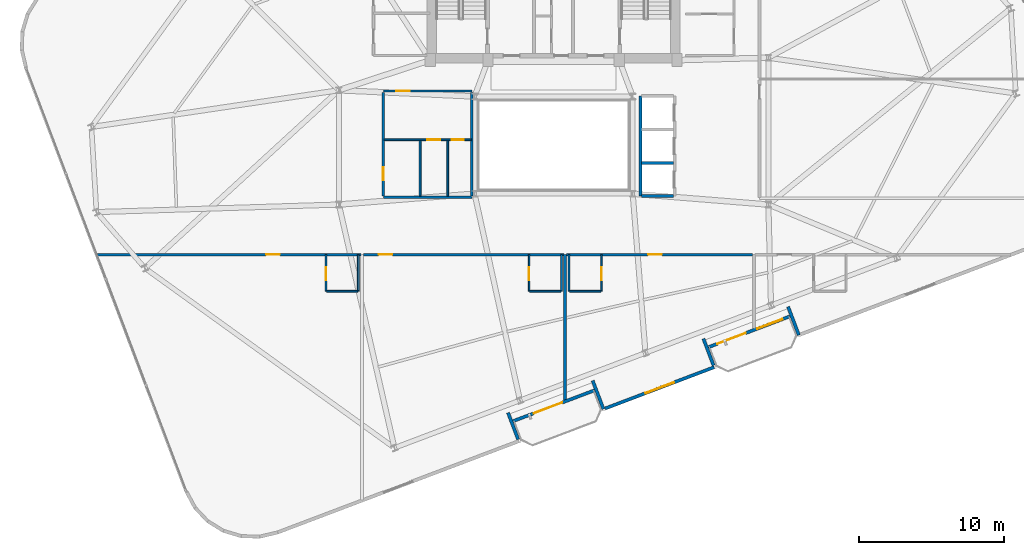
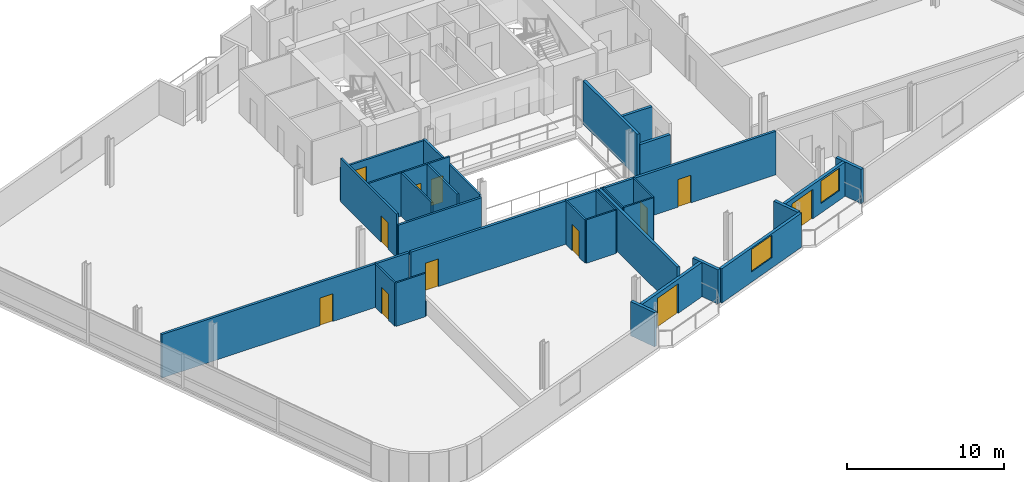
# One storey, part 14 of 19: 30 walls, 12 doors, 2 windows, 14 openings.
"""IFC4 building model written with IfcOpenShell, lengths in metres."""

from ifc_helpers import new_model, si_unit, direction, frame, frame_2d, origin, place, context, subcontext, project, spatial, rectangle, extrude, material, layer, layer_set, type_object, element, fill, save


model = new_model("IFC4")

# Units and contexts
model_context = context("Model", 3, precision=1e-05, world=origin(), true_north=direction((0.0, 1.0)))
body_context = subcontext(model_context, "Body", "Model", "MODEL_VIEW")
ifc_project = project(units=[si_unit("LENGTHUNIT", "METRE"), si_unit("AREAUNIT", "SQUARE_METRE"), si_unit("VOLUMEUNIT", "CUBIC_METRE"), si_unit("PLANEANGLEUNIT", "RADIAN"), si_unit("MASSUNIT", "GRAM", prefix="KILO")], contexts=[model_context])

# Site, building, storey
site_placement = place(None, origin())
site = spatial("IfcSite", under=ifc_project, at=site_placement, CompositionType="ELEMENT")
building_placement = place(site_placement, origin())
building = spatial("IfcBuilding", under=site, at=building_placement, Name="Varnelok Gate Tower", CompositionType="ELEMENT")
storey_placement = place(building_placement, frame((0.0, 0.0, 249.699951171875)))
storey = spatial("IfcBuildingStorey", under=building, at=storey_placement, Name="L64", CompositionType="ELEMENT", Elevation=249.699951171875)

# Wall, opening, door
ifc_material_1 = material(Name="Concrete C45/55", Category="concrete")
ifc_layer_1 = layer(ifc_material_1, 0.219970703125)
ifc_layer_set_1 = layer_set([ifc_layer_1], Name="Concrete C45/55")
wall_type_1 = type_object("IfcWallType", Name="EW-BALC-220", PredefinedType="SOLIDWALL", material=ifc_layer_set_1)
wall_1_placement = place(storey_placement, frame((42.01708984375, 5.9970703125, 0.0), z_axis=(0.0, 0.0, 1.0), x_axis=(-0.9352192676, -0.354069091436, 0.0)))
wall_1 = element("IfcWall", 1, at=wall_1_placement, inside=storey, type_object=wall_type_1, Name="L64 South Terrace Envelope Wall 1", PredefinedType="SOLIDWALL", context=body_context, shape_type="SweptSolid", body=[
    extrude(rectangle(XDim=6.000244140625, YDim=0.219970703125, at=frame_2d((3.0, 0.0))), origin(), (0.0, 0.0, 1.0), 2.66015625),
])
opening_1_placement = place(wall_1_placement, frame((2.384033203125, 0.0, 0.0)))
opening_1 = element("IfcOpeningElement", 2, at=opening_1_placement, cuts=wall_1, Name="Opening BD-2", PredefinedType="OPENING", context=body_context, shape_type="SweptSolid", body=[
    extrude(rectangle(XDim=2.10009765625, YDim=2.300048828125, at=frame_2d((1.050048828125, 1.14990234375))), frame((0.0, 0.119873046875, 0.0), z_axis=(0.0, -1.0, 0.0), x_axis=(1.0, 0.0, 0.0)), (0.0, 0.0, 1.0), 0.239990234375),
])
ifc_material_2 = material(Name="Anodized Aluminum Alloy 6063-T6", Category="aluminium")
door_type_1 = type_object("IfcDoorType", Name="DR-EXT-SLID2100", OperationType="SLIDING_TO_LEFT", PredefinedType="DOOR", material=ifc_material_2)
door_1_placement = place(opening_1_placement, origin())
door_1 = element("IfcDoor", 3, at=door_1_placement, inside=storey, type_object=door_type_1, Name="L64 South Balcony Glazed Door 1", OperationType="SLIDING_TO_LEFT", OverallHeight=2.300048828125, OverallWidth=2.10009765625, PredefinedType="DOOR", context=body_context, shape_type="SweptSolid", body=[
    extrude(rectangle(XDim=2.10009765625, YDim=2.300048828125, at=frame_2d((1.050048828125, 1.14990234375))), frame((0.0, 0.02490234375, 0.0), z_axis=(0.0, -1.0, 0.0), x_axis=(1.0, 0.0, 0.0)), (0.0, 0.0, 1.0), 0.050048828125),
])
fill(opening_1, door_1)

# Wall, openings, door, window
wall_2_placement = place(storey_placement, frame((55.484130859375, 11.095458984375, 0.0), z_axis=(0.0, 0.0, 1.0), x_axis=(-0.935227640088, -0.354046976001, 0.0)))
wall_2 = element("IfcWall", 4, at=wall_2_placement, inside=storey, type_object=wall_type_1, Name="L64 South Terrace Envelope Wall 2", PredefinedType="SOLIDWALL", context=body_context, shape_type="SweptSolid", body=[
    extrude(rectangle(XDim=6.0, YDim=0.219970703125, at=frame_2d((3.0, 0.0))), origin(), (0.0, 0.0, 1.0), 2.66015625),
])
opening_2_placement = place(wall_2_placement, frame((3.252197265625, 0.0, 0.0)))
opening_2 = element("IfcOpeningElement", 5, at=opening_2_placement, cuts=wall_2, Name="Opening BD-2", PredefinedType="OPENING", context=body_context, shape_type="SweptSolid", body=[
    extrude(rectangle(XDim=2.10009765625, YDim=2.300048828125, at=frame_2d((1.050048828125, 1.14990234375))), frame((0.0, 0.119873046875, 0.0), z_axis=(0.0, -1.0, 0.0), x_axis=(1.0, 0.0, 0.0)), (0.0, 0.0, 1.0), 0.239990234375),
])
opening_3_placement = place(wall_2_placement, frame((0.550048828125, 0.0, 0.75)))
opening_3 = element("IfcOpeningElement", 6, at=opening_3_placement, cuts=wall_2, Name="Opening WN5", PredefinedType="OPENING", context=body_context, shape_type="SweptSolid", body=[
    extrude(rectangle(XDim=1.85009765625, YDim=1.75, at=frame_2d((0.925048828125, 0.875))), frame((0.0, 0.119873046875, 0.0), z_axis=(0.0, -1.0, 0.0), x_axis=(1.0, 0.0, 0.0)), (0.0, 0.0, 1.0), 0.239990234375),
])
door_2_placement = place(opening_2_placement, origin())
door_2 = element("IfcDoor", 7, at=door_2_placement, inside=storey, type_object=door_type_1, Name="L64 South Balcony Glazed Door 2", OperationType="SLIDING_TO_LEFT", OverallHeight=2.300048828125, OverallWidth=2.10009765625, PredefinedType="DOOR", context=body_context, shape_type="SweptSolid", body=[
    extrude(rectangle(XDim=2.10009765625, YDim=2.300048828125, at=frame_2d((1.050048828125, 1.14990234375))), frame((0.0, 0.02490234375, 0.0), z_axis=(0.0, -1.0, 0.0), x_axis=(1.0, 0.0, 0.0)), (0.0, 0.0, 1.0), 0.050048828125),
])
fill(opening_2, door_2)
ifc_material_3 = material(Name="Low-E Laminated Double Glazing IGU", Category="glass")
window_type_1 = type_object("IfcWindowType", Name="WN-RES-1850", PartitioningType="SINGLE_PANEL", PredefinedType="WINDOW", material=ifc_material_3)
window_1_placement = place(opening_3_placement, origin())
window_1 = element("IfcWindow", 8, at=window_1_placement, inside=storey, type_object=window_type_1, Name="L64 South Vision Window 2.1", OverallHeight=1.75, OverallWidth=1.85009765625, PartitioningType="SINGLE_PANEL", PredefinedType="WINDOW", context=body_context, shape_type="SweptSolid", body=[
    extrude(rectangle(XDim=1.85009765625, YDim=1.75, at=frame_2d((0.925048828125, 0.875))), frame((0.0, 0.030029296875, 0.0), z_axis=(0.0, -1.0, 0.0), x_axis=(1.0, 0.0, 0.0)), (0.0, 0.0, 1.0), 0.06005859375),
])
fill(opening_3, window_1)

# Walls
wall_3_placement = place(storey_placement, frame((36.75537109375, 2.609619140625, 0.0), z_axis=(0.0, 0.0, 1.0), x_axis=(-0.354020680661, 0.935237594232, 0.0)))
element("IfcWall", 9, at=wall_3_placement, inside=storey, type_object=wall_type_1, Name="L64 Perimeter Facade Closure Wall 8", PredefinedType="SOLIDWALL", context=body_context, shape_type="SweptSolid", body=[
    extrude(rectangle(XDim=1.97509765625, YDim=0.219970703125, at=frame_2d((0.987548828125, 0.0))), origin(), (0.0, 0.0, 1.0), 2.66015625),
])
wall_4_placement = place(storey_placement, frame((41.891845703125, 6.666015625, 0.0), z_axis=(0.0, 0.0, 1.0), x_axis=(0.354128469405, -0.935196785258, 0.0)))
element("IfcWall", 10, at=wall_4_placement, inside=storey, type_object=wall_type_1, Name="L64 Perimeter Facade Closure Wall 9", PredefinedType="SOLIDWALL", context=body_context, shape_type="SweptSolid", body=[
    extrude(rectangle(XDim=2.099853515625, YDim=0.219970703125, at=frame_2d((1.0498046875, 0.0))), origin(), (0.0, 0.0, 1.0), 2.66015625),
])

# Wall, opening, window
wall_5_placement = place(storey_placement, frame((42.75244140625, 4.746337890625, 0.0), z_axis=(0.0, 0.0, 1.0), x_axis=(0.935216926991, 0.354075273733, 0.0)))
wall_5 = element("IfcWall", 11, at=wall_5_placement, inside=storey, type_object=wall_type_1, Name="L64 Perimeter Facade Closure Wall 10", PredefinedType="SOLIDWALL", context=body_context, shape_type="SweptSolid", body=[
    extrude(rectangle(XDim=8.034912109375, YDim=0.219970703125, at=frame_2d((4.017578125, 0.0))), origin(), (0.0, 0.0, 1.0), 2.66015625),
])
opening_4_placement = place(wall_5_placement, frame((2.967529296875, 0.0, 0.800048828125)))
opening_4 = element("IfcOpeningElement", 12, at=opening_4_placement, cuts=wall_5, Name="Opening WN4", PredefinedType="OPENING", context=body_context, shape_type="SweptSolid", body=[
    extrude(rectangle(XDim=2.10009765625, YDim=1.75, at=frame_2d((1.050048828125, 0.875))), frame((0.0, 0.119873046875, 0.0), z_axis=(0.0, -1.0, 0.0), x_axis=(1.0, 0.0, 0.0)), (0.0, 0.0, 1.0), 0.239990234375),
])
window_type_2 = type_object("IfcWindowType", Name="WN-SUI-2100", PartitioningType="SINGLE_PANEL", PredefinedType="WINDOW", material=ifc_material_3)
window_2_placement = place(opening_4_placement, origin())
window_2 = element("IfcWindow", 13, at=window_2_placement, inside=storey, type_object=window_type_2, Name="L64 Perimeter Vision Window 10", OverallHeight=1.75, OverallWidth=2.10009765625, PartitioningType="SINGLE_PANEL", PredefinedType="WINDOW", context=body_context, shape_type="SweptSolid", body=[
    extrude(rectangle(XDim=2.10009765625, YDim=1.75, at=frame_2d((1.050048828125, 0.875))), frame((0.0, 0.030029296875, 0.0), z_axis=(0.0, -1.0, 0.0), x_axis=(1.0, 0.0, 0.0)), (0.0, 0.0, 1.0), 0.06005859375),
])
fill(opening_4, window_2)

# Walls
wall_6_placement = place(storey_placement, frame((50.22265625, 7.7080078125, 0.0), z_axis=(0.0, 0.0, 1.0), x_axis=(-0.354020680661, 0.935237594232, 0.0)))
element("IfcWall", 14, at=wall_6_placement, inside=storey, type_object=wall_type_1, Name="L64 Perimeter Facade Closure Wall 11", PredefinedType="SOLIDWALL", context=body_context, shape_type="SweptSolid", body=[
    extrude(rectangle(XDim=1.97509765625, YDim=0.219970703125, at=frame_2d((0.987548828125, 0.0))), origin(), (0.0, 0.0, 1.0), 2.66015625),
])
wall_7_placement = place(storey_placement, frame((55.359130859375, 11.764404296875, 0.0), z_axis=(0.0, 0.0, 1.0), x_axis=(0.354026782794, -0.935235284334, 0.0)))
element("IfcWall", 15, at=wall_7_placement, inside=storey, type_object=wall_type_1, Name="L64 Perimeter Facade Closure Wall 12", PredefinedType="SOLIDWALL", context=body_context, shape_type="SweptSolid", body=[
    extrude(rectangle(XDim=2.099853515625, YDim=0.219970703125, at=frame_2d((1.0498046875, 0.0))), origin(), (0.0, 0.0, 1.0), 2.66015625),
])

# Wall, opening, door
ifc_material_4 = material(Name="Gypsum Plasterboard Acoustic Partition", Category="gypsum")
ifc_layer_2 = layer(ifc_material_4, 0.179931640625)
ifc_layer_set_2 = layer_set([ifc_layer_2], Name="Gypsum Plasterboard Acoustic Partition")
wall_type_2 = type_object("IfcWallType", Name="PW-CORR-180", PredefinedType="PARTITIONING", material=ifc_layer_set_2)
wall_8_placement = place(storey_placement, frame((7.763916015625, 15.35009765625, 0.0), z_axis=(0.0, 0.0, 1.0), x_axis=(1.0, 0.0, 0.0)))
wall_8 = element("IfcWall", 16, at=wall_8_placement, inside=storey, type_object=wall_type_2, Name="Interior Partition", PredefinedType="PARTITIONING", context=body_context, shape_type="SweptSolid", body=[
    extrude(rectangle(XDim=18.156005859375, YDim=0.179931640625, at=frame_2d((9.078125, 0.0))), origin(), (0.0, 0.0, 1.0), 3.380126953125),
])
opening_5_placement = place(wall_8_placement, frame((11.616943359375, 0.0, 0.0)))
opening_5 = element("IfcOpeningElement", 17, at=opening_5_placement, cuts=wall_8, Name="Opening D-HT", PredefinedType="OPENING", context=body_context, shape_type="SweptSolid", body=[
    extrude(rectangle(XDim=0.949951171875, YDim=2.14990234375, at=frame_2d((0.47509765625, 1.074951171875))), frame((0.0, 0.099853515625, 0.0), z_axis=(0.0, -1.0, 0.0), x_axis=(1.0, 0.0, 0.0)), (0.0, 0.0, 1.0), 0.199951171875),
])
ifc_material_5 = material(Name="Engineered Hardwood Timber", Category="wood")
door_type_2 = type_object("IfcDoorType", Name="DR-HTL-950", OperationType="NOTDEFINED", PredefinedType="DOOR", material=ifc_material_5)
door_3_placement = place(opening_5_placement, origin())
door_3 = element("IfcDoor", 18, at=door_3_placement, inside=storey, type_object=door_type_2, Name="L64 Guest Room 01 Entrance Door", OperationType="SINGLE_SWING_RIGHT", OverallHeight=2.14990234375, OverallWidth=0.949951171875, PredefinedType="DOOR", context=body_context, shape_type="SweptSolid", body=[
    extrude(rectangle(XDim=0.949951171875, YDim=2.14990234375, at=frame_2d((0.47509765625, 1.074951171875))), frame((0.0, 0.02490234375, 0.0), z_axis=(0.0, -1.0, 0.0), x_axis=(1.0, 0.0, 0.0)), (0.0, 0.0, 1.0), 0.050048828125),
])
fill(opening_5, door_3)

wall_9_placement = place(storey_placement, frame((26.080078125, 15.35009765625, 0.0), z_axis=(0.0, 0.0, 1.0), x_axis=(1.0, 0.0, 0.0)))
wall_9 = element("IfcWall", 19, at=wall_9_placement, inside=storey, type_object=wall_type_2, Name="Interior Partition", PredefinedType="PARTITIONING", context=body_context, shape_type="SweptSolid", body=[
    extrude(rectangle(XDim=13.83984375, YDim=0.179931640625, at=frame_2d((6.919921875, 0.0))), origin(), (0.0, 0.0, 1.0), 3.380126953125),
])
opening_6_placement = place(wall_9_placement, frame((1.058349609375, 0.0, 0.0)))
opening_6 = element("IfcOpeningElement", 20, at=opening_6_placement, cuts=wall_9, Name="Opening D-HT", PredefinedType="OPENING", context=body_context, shape_type="SweptSolid", body=[
    extrude(rectangle(XDim=0.949951171875, YDim=2.14990234375, at=frame_2d((0.47509765625, 1.074951171875))), frame((0.0, 0.099853515625, 0.0), z_axis=(0.0, -1.0, 0.0), x_axis=(1.0, 0.0, 0.0)), (0.0, 0.0, 1.0), 0.199951171875),
])
door_4_placement = place(opening_6_placement, origin())
door_4 = element("IfcDoor", 21, at=door_4_placement, inside=storey, type_object=door_type_2, Name="L64 Guest Room 02 Entrance Door", OperationType="SINGLE_SWING_LEFT", OverallHeight=2.14990234375, OverallWidth=0.949951171875, PredefinedType="DOOR", context=body_context, shape_type="SweptSolid", body=[
    extrude(rectangle(XDim=0.949951171875, YDim=2.14990234375, at=frame_2d((0.47509765625, 1.074951171875))), frame((0.0, 0.02490234375, 0.0), z_axis=(0.0, -1.0, 0.0), x_axis=(1.0, 0.0, 0.0)), (0.0, 0.0, 1.0), 0.050048828125),
])
fill(opening_6, door_4)

wall_10_placement = place(storey_placement, frame((40.080078125, 15.35009765625, 0.0), z_axis=(0.0, 0.0, 1.0), x_axis=(1.0, 0.0, 0.0)))
wall_10 = element("IfcWall", 22, at=wall_10_placement, inside=storey, type_object=wall_type_2, Name="Interior Partition", PredefinedType="PARTITIONING", context=body_context, shape_type="SweptSolid", body=[
    extrude(rectangle(XDim=12.83984375, YDim=0.179931640625, at=frame_2d((6.419921875, 0.0))), origin(), (0.0, 0.0, 1.0), 3.380126953125),
])
opening_7_placement = place(wall_10_placement, frame((5.6298828125, 0.0, 0.0)))
opening_7 = element("IfcOpeningElement", 23, at=opening_7_placement, cuts=wall_10, Name="Opening D-HT", PredefinedType="OPENING", context=body_context, shape_type="SweptSolid", body=[
    extrude(rectangle(XDim=0.949951171875, YDim=2.14990234375, at=frame_2d((0.47509765625, 1.074951171875))), frame((0.0, 0.099853515625, 0.0), z_axis=(0.0, -1.0, 0.0), x_axis=(1.0, 0.0, 0.0)), (0.0, 0.0, 1.0), 0.199951171875),
])
door_5_placement = place(opening_7_placement, origin())
door_5 = element("IfcDoor", 24, at=door_5_placement, inside=storey, type_object=door_type_2, Name="L64 Guest Room 03 Entrance Door", OperationType="SINGLE_SWING_RIGHT", OverallHeight=2.14990234375, OverallWidth=0.949951171875, PredefinedType="DOOR", context=body_context, shape_type="SweptSolid", body=[
    extrude(rectangle(XDim=0.949951171875, YDim=2.14990234375, at=frame_2d((0.47509765625, 1.074951171875))), frame((0.0, 0.02490234375, 0.0), z_axis=(0.0, -1.0, 0.0), x_axis=(1.0, 0.0, 0.0)), (0.0, 0.0, 1.0), 0.050048828125),
])
fill(opening_7, door_5)

# Wall
ifc_layer_3 = layer(ifc_material_4, 0.114990234375)
ifc_layer_set_3 = layer_set([ifc_layer_3], Name="Gypsum Plasterboard Acoustic Partition")
wall_type_3 = type_object("IfcWallType", Name="PW-ENS-125", PredefinedType="PARTITIONING", material=ifc_layer_set_3)
wall_11_placement = place(storey_placement, frame((23.550048828125, 12.830078125, 0.0), z_axis=(0.0, 0.0, 1.0), x_axis=(1.0, 0.0, 0.0)))
element("IfcWall", 25, at=wall_11_placement, inside=storey, type_object=wall_type_3, Name="Interior Partition", PredefinedType="PARTITIONING", context=body_context, shape_type="SweptSolid", body=[
    extrude(rectangle(XDim=2.14990234375, YDim=0.114990234375, at=frame_2d((1.074951171875, 0.0))), origin(), (0.0, 0.0, 1.0), 3.380126953125),
])

# Wall, opening, door
wall_12_placement = place(storey_placement, frame((23.510009765625, 12.830078125, 0.0), z_axis=(0.0, 0.0, 1.0), x_axis=(0.0, 1.0, 0.0)))
wall_12 = element("IfcWall", 26, at=wall_12_placement, inside=storey, type_object=wall_type_3, Name="Interior Partition", PredefinedType="PARTITIONING", context=body_context, shape_type="SweptSolid", body=[
    extrude(rectangle(XDim=2.52001953125, YDim=0.114990234375, at=frame_2d((1.260009765625, 0.0))), origin(), (0.0, 0.0, 1.0), 3.380126953125),
])
opening_8_placement = place(wall_12_placement, frame((0.760009765625, 0.0, 0.0)))
opening_8 = element("IfcOpeningElement", 27, at=opening_8_placement, cuts=wall_12, Name="Opening D-WC", PredefinedType="OPENING", context=body_context, shape_type="SweptSolid", body=[
    extrude(rectangle(XDim=0.89990234375, YDim=2.050048828125, at=frame_2d((0.449951171875, 1.02490234375))), frame((0.0, 0.0673828125, 0.0), z_axis=(0.0, -1.0, 0.0), x_axis=(1.0, 0.0, 0.0)), (0.0, 0.0, 1.0), 0.135009765625),
])
door_type_3 = type_object("IfcDoorType", Name="DR-BATH-900", OperationType="NOTDEFINED", PredefinedType="DOOR", material=ifc_material_5)
door_6_placement = place(opening_8_placement, origin())
door_6 = element("IfcDoor", 28, at=door_6_placement, inside=storey, type_object=door_type_3, Name="L64 Guest En-Suite 01 Door", OperationType="SINGLE_SWING_RIGHT", OverallHeight=2.050048828125, OverallWidth=0.89990234375, PredefinedType="DOOR", context=body_context, shape_type="SweptSolid", body=[
    extrude(rectangle(XDim=0.89990234375, YDim=2.050048828125, at=frame_2d((0.449951171875, 1.02490234375))), frame((0.0, 0.02490234375, 0.0), z_axis=(0.0, -1.0, 0.0), x_axis=(1.0, 0.0, 0.0)), (0.0, 0.0, 1.0), 0.050048828125),
])
fill(opening_8, door_6)

# Walls
wall_13_placement = place(storey_placement, frame((25.739990234375, 12.830078125, 0.0), z_axis=(0.0, 0.0, 1.0), x_axis=(0.0, 1.0, 0.0)))
element("IfcWall", 29, at=wall_13_placement, inside=storey, type_object=wall_type_3, Name="Interior Partition", PredefinedType="PARTITIONING", context=body_context, shape_type="SweptSolid", body=[
    extrude(rectangle(XDim=2.52001953125, YDim=0.114990234375, at=frame_2d((1.260009765625, 0.0))), origin(), (0.0, 0.0, 1.0), 1.1650390625),
])
wall_14_placement = place(storey_placement, frame((37.550048828125, 12.830078125, 0.0), z_axis=(0.0, 0.0, 1.0), x_axis=(1.0, 0.0, 0.0)))
element("IfcWall", 30, at=wall_14_placement, inside=storey, type_object=wall_type_3, Name="Interior Partition", PredefinedType="PARTITIONING", context=body_context, shape_type="SweptSolid", body=[
    extrude(rectangle(XDim=2.14990234375, YDim=0.114990234375, at=frame_2d((1.074951171875, 0.0))), origin(), (0.0, 0.0, 1.0), 3.380126953125),
])

# Wall, opening, door
wall_15_placement = place(storey_placement, frame((37.510009765625, 12.830078125, 0.0), z_axis=(0.0, 0.0, 1.0), x_axis=(0.0, 1.0, 0.0)))
wall_15 = element("IfcWall", 31, at=wall_15_placement, inside=storey, type_object=wall_type_3, Name="Interior Partition", PredefinedType="PARTITIONING", context=body_context, shape_type="SweptSolid", body=[
    extrude(rectangle(XDim=2.52001953125, YDim=0.114990234375, at=frame_2d((1.260009765625, 0.0))), origin(), (0.0, 0.0, 1.0), 3.380126953125),
])
opening_9_placement = place(wall_15_placement, frame((0.760009765625, 0.0, 0.0)))
opening_9 = element("IfcOpeningElement", 32, at=opening_9_placement, cuts=wall_15, Name="Opening D-WC", PredefinedType="OPENING", context=body_context, shape_type="SweptSolid", body=[
    extrude(rectangle(XDim=0.89990234375, YDim=2.050048828125, at=frame_2d((0.449951171875, 1.02490234375))), frame((0.0, 0.0673828125, 0.0), z_axis=(0.0, -1.0, 0.0), x_axis=(1.0, 0.0, 0.0)), (0.0, 0.0, 1.0), 0.135009765625),
])
door_7_placement = place(opening_9_placement, origin())
door_7 = element("IfcDoor", 33, at=door_7_placement, inside=storey, type_object=door_type_3, Name="L64 Guest En-Suite 02 Door", OperationType="SINGLE_SWING_RIGHT", OverallHeight=2.050048828125, OverallWidth=0.89990234375, PredefinedType="DOOR", context=body_context, shape_type="SweptSolid", body=[
    extrude(rectangle(XDim=0.89990234375, YDim=2.050048828125, at=frame_2d((0.449951171875, 1.02490234375))), frame((0.0, 0.02490234375, 0.0), z_axis=(0.0, -1.0, 0.0), x_axis=(1.0, 0.0, 0.0)), (0.0, 0.0, 1.0), 0.050048828125),
])
fill(opening_9, door_7)

# Walls
wall_16_placement = place(storey_placement, frame((39.739990234375, 12.830078125, 0.0), z_axis=(0.0, 0.0, 1.0), x_axis=(0.0, 1.0, 0.0)))
element("IfcWall", 34, at=wall_16_placement, inside=storey, type_object=wall_type_3, Name="Interior Partition", PredefinedType="PARTITIONING", context=body_context, shape_type="SweptSolid", body=[
    extrude(rectangle(XDim=2.52001953125, YDim=0.114990234375, at=frame_2d((1.260009765625, 0.0))), origin(), (0.0, 0.0, 1.0), 3.380126953125),
])
wall_17_placement = place(storey_placement, frame((40.300048828125, 12.830078125, 0.0), z_axis=(0.0, 0.0, 1.0), x_axis=(1.0, 0.0, 0.0)))
element("IfcWall", 35, at=wall_17_placement, inside=storey, type_object=wall_type_3, Name="Interior Partition", PredefinedType="PARTITIONING", context=body_context, shape_type="SweptSolid", body=[
    extrude(rectangle(XDim=2.14990234375, YDim=0.114990234375, at=frame_2d((1.074951171875, 0.0))), origin(), (0.0, 0.0, 1.0), 3.380126953125),
])

# Wall, opening, door
wall_18_placement = place(storey_placement, frame((42.489990234375, 12.830078125, 0.0), z_axis=(0.0, 0.0, 1.0), x_axis=(0.0, 1.0, 0.0)))
wall_18 = element("IfcWall", 36, at=wall_18_placement, inside=storey, type_object=wall_type_3, Name="Interior Partition", PredefinedType="PARTITIONING", context=body_context, shape_type="SweptSolid", body=[
    extrude(rectangle(XDim=2.52001953125, YDim=0.114990234375, at=frame_2d((1.260009765625, 0.0))), origin(), (0.0, 0.0, 1.0), 3.380126953125),
])
opening_10_placement = place(wall_18_placement, frame((0.760009765625, 0.0, 0.0)))
opening_10 = element("IfcOpeningElement", 37, at=opening_10_placement, cuts=wall_18, Name="Opening D-WC", PredefinedType="OPENING", context=body_context, shape_type="SweptSolid", body=[
    extrude(rectangle(XDim=0.89990234375, YDim=2.050048828125, at=frame_2d((0.449951171875, 1.02490234375))), frame((0.0, 0.0673828125, 0.0), z_axis=(0.0, -1.0, 0.0), x_axis=(1.0, 0.0, 0.0)), (0.0, 0.0, 1.0), 0.135009765625),
])
door_8_placement = place(opening_10_placement, origin())
door_8 = element("IfcDoor", 38, at=door_8_placement, inside=storey, type_object=door_type_3, Name="L64 Guest En-Suite 03 Door", OperationType="SINGLE_SWING_LEFT", OverallHeight=2.050048828125, OverallWidth=0.89990234375, PredefinedType="DOOR", context=body_context, shape_type="SweptSolid", body=[
    extrude(rectangle(XDim=0.89990234375, YDim=2.050048828125, at=frame_2d((0.449951171875, 1.02490234375))), frame((0.0, 0.02490234375, 0.0), z_axis=(0.0, -1.0, 0.0), x_axis=(1.0, 0.0, 0.0)), (0.0, 0.0, 1.0), 0.050048828125),
])
fill(opening_10, door_8)

# Wall
wall_19_placement = place(storey_placement, frame((40.260009765625, 12.830078125, 0.0), z_axis=(0.0, 0.0, 1.0), x_axis=(0.0, 1.0, 0.0)))
element("IfcWall", 39, at=wall_19_placement, inside=storey, type_object=wall_type_3, Name="Interior Partition", PredefinedType="PARTITIONING", context=body_context, shape_type="SweptSolid", body=[
    extrude(rectangle(XDim=2.52001953125, YDim=0.114990234375, at=frame_2d((1.260009765625, 0.0))), origin(), (0.0, 0.0, 1.0), 3.380126953125),
])

# Wall, openings, doors
ifc_layer_4 = layer(ifc_material_4, 0.125)
ifc_layer_set_4 = layer_set([ifc_layer_4], Name="Gypsum Plasterboard Acoustic Partition")
wall_type_4 = type_object("IfcWallType", Name="PW-PART-125", PredefinedType="PARTITIONING", material=ifc_layer_set_4)
wall_20_placement = place(storey_placement, frame((27.52001953125, 23.27001953125, 0.0), z_axis=(0.0, 0.0, 1.0), x_axis=(1.0, 0.0, 0.0)))
wall_20 = element("IfcWall", 40, at=wall_20_placement, inside=storey, type_object=wall_type_4, Name="Interior Partition", PredefinedType="PARTITIONING", context=body_context, shape_type="SweptSolid", body=[
    extrude(rectangle(XDim=6.0, YDim=0.125, at=frame_2d((3.0, 0.0))), origin(), (0.0, 0.0, 1.0), 3.380126953125),
])
opening_11_placement = place(wall_20_placement, frame((2.981689453125, 0.0, 0.0)))
opening_11 = element("IfcOpeningElement", 41, at=opening_11_placement, cuts=wall_20, Name="Opening D-I4", PredefinedType="OPENING", context=body_context, shape_type="SweptSolid", body=[
    extrude(rectangle(XDim=0.89990234375, YDim=2.050048828125, at=frame_2d((0.449951171875, 1.02490234375))), frame((0.0, 0.072509765625, 0.0), z_axis=(0.0, -1.0, 0.0), x_axis=(1.0, 0.0, 0.0)), (0.0, 0.0, 1.0), 0.14501953125),
])
opening_12_placement = place(wall_20_placement, frame((4.64990234375, 0.0, 0.0)))
opening_12 = element("IfcOpeningElement", 42, at=opening_12_placement, cuts=wall_20, Name="Opening D-RS", PredefinedType="OPENING", context=body_context, shape_type="SweptSolid", body=[
    extrude(rectangle(XDim=0.85009765625, YDim=2.050048828125, at=frame_2d((0.425048828125, 1.02490234375))), frame((0.0, 0.072509765625, 0.0), z_axis=(0.0, -1.0, 0.0), x_axis=(1.0, 0.0, 0.0)), (0.0, 0.0, 1.0), 0.14501953125),
])
door_type_4 = type_object("IfcDoorType", Name="DR-INT-900", OperationType="NOTDEFINED", PredefinedType="DOOR", material=ifc_material_5)
door_9_placement = place(opening_11_placement, origin())
door_9 = element("IfcDoor", 43, at=door_9_placement, inside=storey, type_object=door_type_4, Name="L64 Trolley Room Door", OperationType="SINGLE_SWING_LEFT", OverallHeight=2.050048828125, OverallWidth=0.89990234375, PredefinedType="DOOR", context=body_context, shape_type="SweptSolid", body=[
    extrude(rectangle(XDim=0.89990234375, YDim=2.050048828125, at=frame_2d((0.449951171875, 1.02490234375))), frame((0.0, 0.02490234375, 0.0), z_axis=(0.0, -1.0, 0.0), x_axis=(1.0, 0.0, 0.0)), (0.0, 0.0, 1.0), 0.050048828125),
])
fill(opening_11, door_9)
ifc_material_6 = material(Name="Galvanized Steel Grade S350GD", Category="steel")
door_type_5 = type_object("IfcDoorType", Name="DR-RISER-850", OperationType="NOTDEFINED", PredefinedType="DOOR", material=ifc_material_6)
door_10_placement = place(opening_12_placement, origin())
door_10 = element("IfcDoor", 44, at=door_10_placement, inside=storey, type_object=door_type_5, Name="L64 Janitor Sink Door", OperationType="SINGLE_SWING_RIGHT", OverallHeight=2.050048828125, OverallWidth=0.85009765625, PredefinedType="DOOR", context=body_context, shape_type="SweptSolid", body=[
    extrude(rectangle(XDim=0.85009765625, YDim=2.050048828125, at=frame_2d((0.425048828125, 1.02490234375))), frame((0.0, 0.02490234375, 0.0), z_axis=(0.0, -1.0, 0.0), x_axis=(1.0, 0.0, 0.0)), (0.0, 0.0, 1.0), 0.050048828125),
])
fill(opening_12, door_10)

# Walls
for number, where, z_axis, x_axis, name in (
    (45, (30.0, 19.3798828125, 0.0), (0.0, 0.0, 1.0), (0.0, 1.0, 0.0), "Interior Partition"),
    (46, (31.89990234375, 19.3798828125, 0.0), (0.0, 0.0, 1.0), (0.0, 1.0, 0.0), "Interior Partition"),
):
    element("IfcWall", number, at=place(storey_placement, frame(where, z_axis=z_axis, x_axis=x_axis)), inside=storey, type_object=wall_type_4, Name=name, PredefinedType="PARTITIONING", context=body_context, shape_type="SweptSolid", body=[
        extrude(rectangle(XDim=3.820068359375, YDim=0.125, at=frame_2d((1.91015625, 0.0))), origin(), (0.0, 0.0, 1.0), 3.380126953125),
    ])

# Wall, opening, door
ifc_layer_5 = layer(ifc_material_4, 0.14990234375)
ifc_layer_set_5 = layer_set([ifc_layer_5], Name="Gypsum Plasterboard Acoustic Partition")
wall_type_5 = type_object("IfcWallType", Name="PW-PART-150", PredefinedType="PARTITIONING", material=ifc_layer_set_5)
wall_21_placement = place(storey_placement, frame((27.4599609375, 26.6201171875, 0.0), z_axis=(0.0, 0.0, 1.0), x_axis=(1.0, 0.0, 0.0)))
wall_21 = element("IfcWall", 47, at=wall_21_placement, inside=storey, type_object=wall_type_5, Name="Interior Partition", PredefinedType="PARTITIONING", context=body_context, shape_type="SweptSolid", body=[
    extrude(rectangle(XDim=6.10009765625, YDim=0.14990234375, at=frame_2d((3.050048828125, 0.0))), origin(), (0.0, 0.0, 1.0), 2.592041015625),
])
opening_13_placement = place(wall_21_placement, frame((0.8896484375, 0.0, 0.0)))
opening_13 = element("IfcOpeningElement", 48, at=opening_13_placement, cuts=wall_21, Name="Opening D-I2", PredefinedType="OPENING", context=body_context, shape_type="SweptSolid", body=[
    extrude(rectangle(XDim=0.949951171875, YDim=2.050048828125, at=frame_2d((0.47509765625, 1.02490234375))), frame((0.0, 0.0849609375, 0.0), z_axis=(0.0, -1.0, 0.0), x_axis=(1.0, 0.0, 0.0)), (0.0, 0.0, 1.0), 0.169921875),
])
door_type_6 = type_object("IfcDoorType", Name="DR-INT-950", OperationType="NOTDEFINED", PredefinedType="DOOR", material=ifc_material_5)
door_11_placement = place(opening_13_placement, origin())
door_11 = element("IfcDoor", 49, at=door_11_placement, inside=storey, type_object=door_type_6, Name="L64 Hotel Business Center Door", OperationType="SINGLE_SWING_LEFT", OverallHeight=2.050048828125, OverallWidth=0.949951171875, PredefinedType="DOOR", context=body_context, shape_type="SweptSolid", body=[
    extrude(rectangle(XDim=0.949951171875, YDim=2.050048828125, at=frame_2d((0.47509765625, 1.02490234375))), frame((0.0, 0.02490234375, 0.0), z_axis=(0.0, -1.0, 0.0), x_axis=(1.0, 0.0, 0.0)), (0.0, 0.0, 1.0), 0.050048828125),
])
fill(opening_13, door_11)

# Wall
wall_22_placement = place(storey_placement, frame((27.4599609375, 19.300048828125, 0.0), z_axis=(0.0, 0.0, 1.0), x_axis=(1.0, 0.0, 0.0)))
element("IfcWall", 50, at=wall_22_placement, inside=storey, type_object=wall_type_5, Name="Interior Partition", PredefinedType="PARTITIONING", context=body_context, shape_type="SweptSolid", body=[
    extrude(rectangle(XDim=6.10009765625, YDim=0.14990234375, at=frame_2d((3.050048828125, 0.0))), origin(), (0.0, 0.0, 1.0), 2.592041015625),
])

# Wall, opening, door
wall_23_placement = place(storey_placement, frame((27.4599609375, 19.3798828125, 0.0), z_axis=(0.0, 0.0, 1.0), x_axis=(0.0, 1.0, 0.0)))
wall_23 = element("IfcWall", 51, at=wall_23_placement, inside=storey, type_object=wall_type_5, Name="Interior Partition", PredefinedType="PARTITIONING", context=body_context, shape_type="SweptSolid", body=[
    extrude(rectangle(XDim=7.16015625, YDim=0.14990234375, at=frame_2d((3.580078125, 0.0))), origin(), (0.0, 0.0, 1.0), 3.380126953125),
])
opening_14_placement = place(wall_23_placement, frame((1.10009765625, 0.0, 0.0)))
opening_14 = element("IfcOpeningElement", 52, at=opening_14_placement, cuts=wall_23, Name="Opening D-WC", PredefinedType="OPENING", context=body_context, shape_type="SweptSolid", body=[
    extrude(rectangle(XDim=0.89990234375, YDim=2.050048828125, at=frame_2d((0.449951171875, 1.02490234375))), frame((0.0, 0.0849609375, 0.0), z_axis=(0.0, -1.0, 0.0), x_axis=(1.0, 0.0, 0.0)), (0.0, 0.0, 1.0), 0.169921875),
])
door_12_placement = place(opening_14_placement, origin())
door_12 = element("IfcDoor", 53, at=door_12_placement, inside=storey, type_object=door_type_3, Name="L64 Accessible Floor WC Door", OperationType="SINGLE_SWING_RIGHT", OverallHeight=2.050048828125, OverallWidth=0.89990234375, PredefinedType="DOOR", context=body_context, shape_type="SweptSolid", body=[
    extrude(rectangle(XDim=0.89990234375, YDim=2.050048828125, at=frame_2d((0.449951171875, 1.02490234375))), frame((0.0, 0.02490234375, 0.0), z_axis=(0.0, -1.0, 0.0), x_axis=(1.0, 0.0, 0.0)), (0.0, 0.0, 1.0), 0.050048828125),
])
fill(opening_14, door_12)

# Walls
wall_24_placement = place(storey_placement, frame((33.56005859375, 19.3798828125, 0.0), z_axis=(0.0, 0.0, 1.0), x_axis=(0.0, 1.0, 0.0)))
element("IfcWall", 54, at=wall_24_placement, inside=storey, type_object=wall_type_5, Name="Interior Partition", PredefinedType="PARTITIONING", context=body_context, shape_type="SweptSolid", body=[
    extrude(rectangle(XDim=7.16015625, YDim=0.14990234375, at=frame_2d((3.580078125, 0.0))), origin(), (0.0, 0.0, 1.0), 2.754150390625),
])
ifc_layer_6 = layer(ifc_material_4, 0.205078125)
ifc_layer_set_6 = layer_set([ifc_layer_6], Name="Gypsum Plasterboard Acoustic Partition")
wall_type_6 = type_object("IfcWallType", Name="PW-PARTY-200", PredefinedType="PARTITIONING", material=ifc_layer_set_6)
wall_25_placement = place(storey_placement, frame((40.0, 5.33837890625, 0.0), z_axis=(0.0, 0.0, 1.0), x_axis=(0.0, 1.0, 0.0)))
element("IfcWall", 55, at=wall_25_placement, inside=storey, type_object=wall_type_6, Name="L64 South Party Wall 2", PredefinedType="PARTITIONING", context=body_context, shape_type="SweptSolid", body=[
    extrude(rectangle(XDim=10.01171875, YDim=0.205078125, at=frame_2d((5.005859375, 0.0))), origin(), (0.0, 0.0, 1.0), 3.380126953125),
])
ifc_material_7 = material(Name="Concrete C35/45", Category="concrete")
ifc_layer_7 = layer(ifc_material_7, 0.199951171875)
ifc_layer_set_7 = layer_set([ifc_layer_7], Name="Concrete C35/45")
wall_type_7 = type_object("IfcWallType", Name="PW-SHAFT-200", PredefinedType="PARTITIONING", material=ifc_layer_set_7)
wall_26_placement = place(storey_placement, frame((45.239990234375, 21.675048828125, 0.0), z_axis=(0.0, 0.0, 1.0), x_axis=(1.0, 0.0, 0.0)))
element("IfcWall", 56, at=wall_26_placement, inside=storey, type_object=wall_type_7, Name="L64 PH1 Divider", PredefinedType="PARTITIONING", context=body_context, shape_type="SweptSolid", body=[
    extrude(rectangle(XDim=2.219970703125, YDim=0.199951171875, at=frame_2d((1.10986328125, 0.0))), origin(), (0.0, 0.0, 1.0), 3.380126953125),
])
wall_27_placement = place(storey_placement, frame((45.239990234375, 19.3798828125, 0.0), z_axis=(0.0, 0.0, 1.0), x_axis=(1.0, 0.0, 0.0)))
element("IfcWall", 57, at=wall_27_placement, inside=storey, type_object=wall_type_7, Name="L64 PH Bank South Wall", PredefinedType="PARTITIONING", context=body_context, shape_type="SweptSolid", body=[
    extrude(rectangle(XDim=2.219970703125, YDim=0.199951171875, at=frame_2d((1.10986328125, 0.0))), origin(), (0.0, 0.0, 1.0), 2.592041015625),
])
wall_28_placement = place(storey_placement, frame((45.179931640625, 19.3798828125, 0.0), z_axis=(0.0, 0.0, 1.0), x_axis=(0.0, 1.0, 0.0)))
element("IfcWall", 58, at=wall_28_placement, inside=storey, type_object=wall_type_7, Name="L64 PH Bank Atrium Wall", PredefinedType="PARTITIONING", context=body_context, shape_type="SweptSolid", body=[
    extrude(rectangle(XDim=6.900146484375, YDim=0.199951171875, at=frame_2d((3.4501953125, 0.0))), origin(), (0.0, 0.0, 1.0), 3.380126953125),
])

save(model, "model.ifc")
